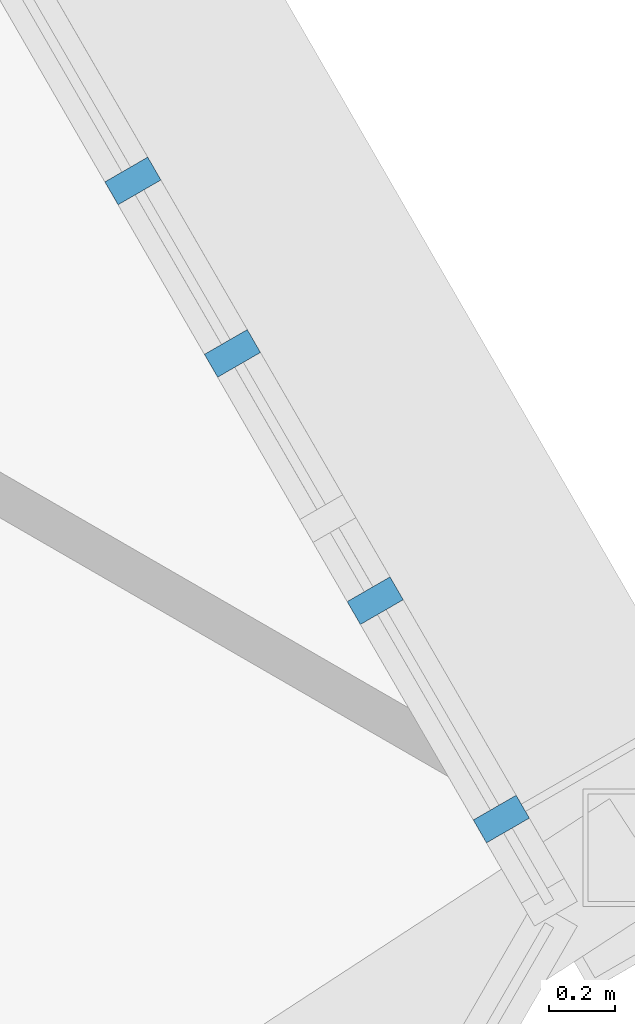
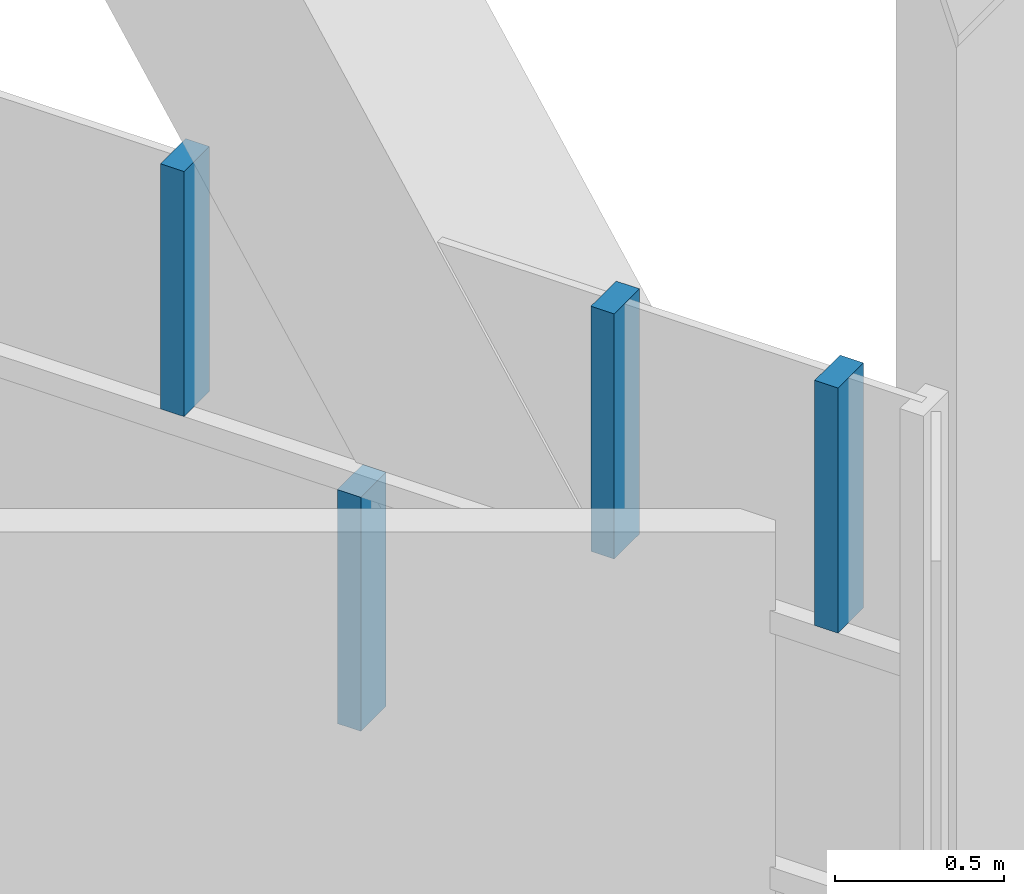
# One storey, part 13 of 25: 4 members, 1 element without a shape of its own.
"""IFC4 building model written with IfcOpenShell, lengths in metres."""

from ifc_helpers import new_model, si_unit, direction, frame, origin, origin_2d, place, context, subcontext, project, spatial, rectangle, extrude, material, layer, layer_set, material_profile, profile_set, type_object, element, aggregate, save


model = new_model("IFC4")

# Units and contexts
model_context = context("Model", 3, precision=1e-05, world=origin(), true_north=direction((0.0, 1.0)))
body_context = subcontext(model_context, "Body", "Model", "MODEL_VIEW")
ifc_project = project(units=[si_unit("LENGTHUNIT", "METRE"), si_unit("AREAUNIT", "SQUARE_METRE"), si_unit("VOLUMEUNIT", "CUBIC_METRE"), si_unit("PLANEANGLEUNIT", "RADIAN"), si_unit("MASSUNIT", "GRAM", prefix="KILO")], contexts=[model_context])

# Site, building, storey
site_placement = place(None, origin())
site = spatial("IfcSite", under=ifc_project, at=site_placement, CompositionType="ELEMENT")
building_placement = place(site_placement, origin())
building = spatial("IfcBuilding", under=site, at=building_placement, Name="Firuza Gate Tower and Library", CompositionType="ELEMENT")
storey_placement = place(building_placement, frame((0.0, 0.0, 270.60009765625)))
storey = spatial("IfcBuildingStorey", under=building, at=storey_placement, Name="L64", CompositionType="ELEMENT", Elevation=270.60009765625)

# Curtain wall, members
ifc_material_1 = material(Name="Aluminium 6063-T6", Category="aluminium")
ifc_layer = layer(ifc_material_1, 0.14990234375)
ifc_layer_set = layer_set([ifc_layer], Name="Unitised curtain wall, residences")
curtain_wall_type = type_object("IfcCurtainWallType", Name="Unitised curtain wall, residences", PredefinedType="NOTDEFINED", material=ifc_layer_set)
curtain_wall_placement = place(storey_placement, origin())
curtain_wall = element("IfcCurtainWall", 1, at=curtain_wall_placement, inside=storey, type_object=curtain_wall_type, Name="CW3 L64 E face", PredefinedType="NOTDEFINED")
ifc_material_2 = material(Name="Aluminium 6063-T6", Category="aluminium")
ifc_material_profile = material_profile(ifc_material_2, rectangle(XDim=0.14990234375, YDim=0.080078125, at=origin_2d()))
ifc_profile_set = profile_set([ifc_material_profile], Name="Aluminium 6063-T6")
member_type = type_object("IfcMemberType", Name="Curtain wall mullion 80x150", PredefinedType="MULLION", material=ifc_profile_set)
member_1_placement = place(storey_placement, frame((100.684814453125, 65.510009765625, 1.489990234375), z_axis=(0.0, 0.0, 1.0), x_axis=(-0.866025403784, -0.5, 0.0)))
member_1 = element("IfcMember", 2, at=member_1_placement, type_object=member_type, Name="Mullion", PredefinedType="MULLION", context=body_context, shape_type="SweptSolid", body=[
    extrude(rectangle(XDim=0.14990234375, YDim=0.080078125, at=origin_2d()), origin(), (0.0, 0.0, 1.0), 0.844970703125),
])
member_2_placement = place(storey_placement, frame((101.499755859375, 64.0986328125, 2.414794921875), z_axis=(0.0, 0.0, 1.0), x_axis=(-0.866025403784, -0.5, 0.0)))
member_2 = element("IfcMember", 3, at=member_2_placement, type_object=member_type, Name="Mullion", PredefinedType="MULLION", context=body_context, shape_type="SweptSolid", body=[
    extrude(rectangle(XDim=0.14990234375, YDim=0.080078125, at=origin_2d()), origin(), (0.0, 0.0, 1.0), 0.885009765625),
])
member_3_placement = place(storey_placement, frame((101.117431640625, 64.760498046875, 2.414794921875), z_axis=(0.0, 0.0, 1.0), x_axis=(-0.866025403784, -0.5, 0.0)))
member_3 = element("IfcMember", 4, at=member_3_placement, type_object=member_type, Name="Mullion", PredefinedType="MULLION", context=body_context, shape_type="SweptSolid", body=[
    extrude(rectangle(XDim=0.14990234375, YDim=0.080078125, at=origin_2d()), origin(), (0.0, 0.0, 1.0), 0.885009765625),
])
member_4_placement = place(storey_placement, frame((100.383056640625, 66.03271484375, 2.414794921875), z_axis=(0.0, 0.0, 1.0), x_axis=(-0.866025403784, -0.5, 0.0)))
member_4 = element("IfcMember", 5, at=member_4_placement, type_object=member_type, Name="Mullion", PredefinedType="MULLION", context=body_context, shape_type="SweptSolid", body=[
    extrude(rectangle(XDim=0.14990234375, YDim=0.080078125, at=origin_2d()), origin(), (0.0, 0.0, 1.0), 0.885009765625),
])
aggregate(curtain_wall, [member_1, member_2, member_3, member_4])

save(model, "model.ifc")
